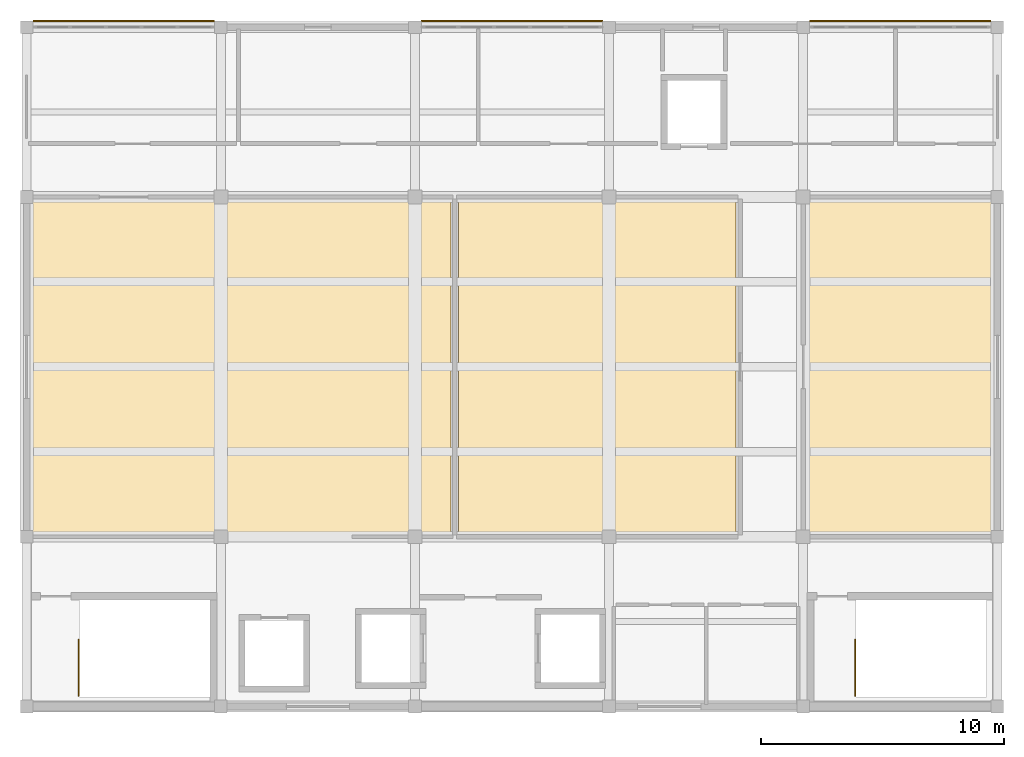
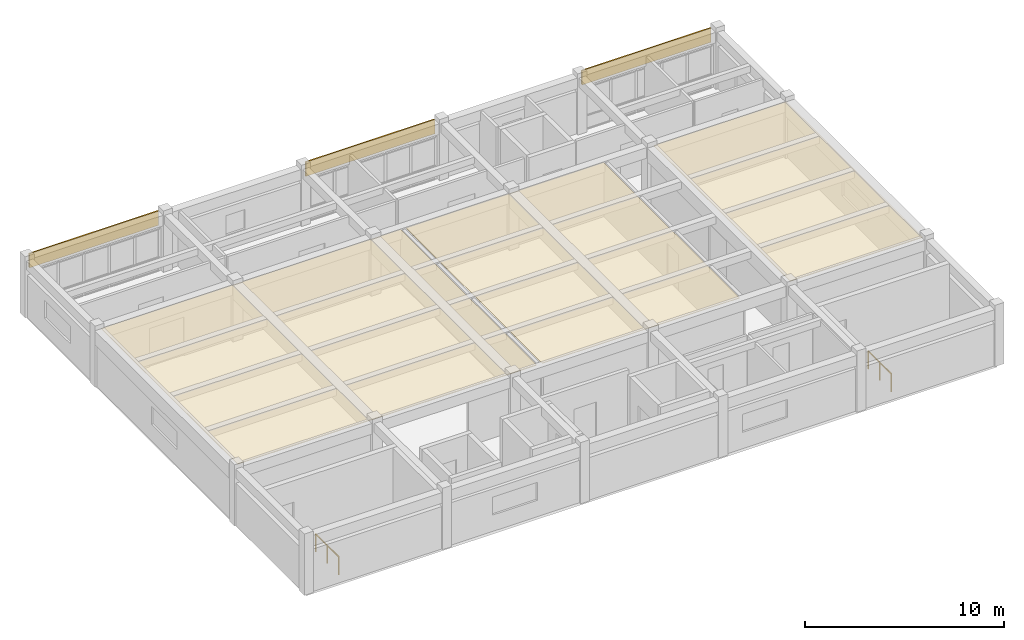
# One storey, part 7 of 7: 6 coverings, 2 railings.
"""IFC4 building model written with IfcOpenShell, lengths in metres."""

from ifc_helpers import new_model, si_unit, direction, frame, origin, origin_2d, place, context, subcontext, project, spatial, polyline, rectangle, circle, outline, extrude, material, layer, layer_set, type_object, element, save


model = new_model("IFC4")

# Units and contexts
model_context = context("Model", 3, precision=1e-05, world=origin(), true_north=direction((0.0, 1.0)))
body_context = subcontext(model_context, "Body", "Model", "MODEL_VIEW")
ifc_project = project(units=[si_unit("LENGTHUNIT", "METRE"), si_unit("AREAUNIT", "SQUARE_METRE"), si_unit("VOLUMEUNIT", "CUBIC_METRE"), si_unit("PLANEANGLEUNIT", "RADIAN"), si_unit("MASSUNIT", "GRAM", prefix="KILO")], contexts=[model_context])

# Site, building, storey
site_placement = place(None, origin())
site = spatial("IfcSite", under=ifc_project, at=site_placement, CompositionType="ELEMENT")
building_placement = place(site_placement, origin())
building = spatial("IfcBuilding", under=site, at=building_placement, Name="Naurynzar Civic Courthouse", CompositionType="ELEMENT")
storey_placement = place(building_placement, frame((0.0, 0.0, 37.050048828125)))
storey = spatial("IfcBuildingStorey", under=building, at=storey_placement, Name="L10", CompositionType="ELEMENT", Elevation=37.050048828125)

# Coverings
ifc_material_1 = material(Name="Acoustic Oak Timber Grade A", Category="wood")
ifc_layer_1 = layer(ifc_material_1, 0.044921875)
ifc_layer_set_1 = layer_set([ifc_layer_1], Name="CEIL-ACOUSTIC-OAK-45")
covering_type_1 = type_object("IfcCoveringType", Name="CEIL-ACOUSTIC-OAK-45", PredefinedType="CEILING", material=ifc_layer_set_1)
covering_1_placement = place(storey_placement, frame((0.0, 0.0, 3.364990234375)))
element("IfcCovering", 1, at=covering_1_placement, inside=storey, type_object=covering_type_1, Name="Acoustic suspended ceiling Judicial Council Plenary Hall", PredefinedType="CEILING", context=body_context, shape_type="SweptSolid", body=[
    extrude(outline(polyline([(86.47998046875, 51.159912109375), (69.159912109375, 51.159912109375), (69.159912109375, 64.840087890625), (86.47998046875, 64.840087890625), (86.47998046875, 51.159912109375)])), origin(), (0.0, 0.0, 1.0), 0.044921875),
])
covering_2_placement = place(storey_placement, frame((0.0, 0.0, 3.364990234375)))
element("IfcCovering", 2, at=covering_2_placement, inside=storey, type_object=covering_type_1, Name="Acoustic suspended ceiling Civil Chamber Courtroom L10-E", PredefinedType="CEILING", context=body_context, shape_type="SweptSolid", body=[
    extrude(outline(polyline([(108.840087890625, 51.159912109375), (101.159912109375, 51.159912109375), (101.159912109375, 64.840087890625), (108.840087890625, 64.840087890625), (108.840087890625, 51.159912109375)])), origin(), (0.0, 0.0, 1.0), 0.044921875),
])
ifc_material_2 = material(Name="Mineral Fibre Acoustic Ceiling")
ifc_layer_2 = layer(ifc_material_2, 0.030029296875)
ifc_layer_set_2 = layer_set([ifc_layer_2], Name="CEIL-MINERAL-30")
covering_type_2 = type_object("IfcCoveringType", Name="CEIL-MINERAL-30", PredefinedType="CEILING", material=ifc_layer_set_2)
covering_3_placement = place(storey_placement, frame((0.0, 0.0, 3.364990234375)))
element("IfcCovering", 3, at=covering_3_placement, inside=storey, type_object=covering_type_2, Name="Acoustic suspended ceiling Judicial Ethics Deliberation Room", PredefinedType="CEILING", context=body_context, shape_type="SweptSolid", body=[
    extrude(outline(polyline([(98.239990234375, 51.159912109375), (86.800048828125, 51.159912109375), (86.800048828125, 64.840087890625), (98.239990234375, 64.840087890625), (98.239990234375, 51.159912109375)])), origin(), (0.0, 0.0, 1.0), 0.030029296875),
])
ifc_material_3 = material(Name="Precast concrete C40/50", Category="concrete")
ifc_layer_3 = layer(ifc_material_3, 0.080078125)
ifc_layer_set_3 = layer_set([ifc_layer_3], Name="COV-CLAD-PRECAST-80")
covering_type_3 = type_object("IfcCoveringType", Name="COV-CLAD-PRECAST-80", PredefinedType="CLADDING", material=ifc_layer_set_3)
for number, where, z_axis, x_axis, name in (
    (4, (73.0, 72.2548828125, 2.599853515625), (0.0, 0.0, 1.0), (1.0, 0.0, 0.0), "V2 precast spandrel cladding 61"),
    (5, (89.0, 72.2548828125, 2.599853515625), (0.0, 0.0, 1.0), (1.0, 0.0, 0.0), "V2 precast spandrel cladding 62"),
    (6, (105.0, 72.2548828125, 2.599853515625), (0.0, 0.0, 1.0), (1.0, 0.0, 0.0), "V2 precast spandrel cladding 63"),
):
    element("IfcCovering", number, at=place(storey_placement, frame(where, z_axis=z_axis, x_axis=x_axis)), inside=storey, type_object=covering_type_3, Name=name, PredefinedType="CLADDING", context=body_context, shape_type="SweptSolid", body=[
        extrude(rectangle(XDim=7.47509765625, YDim=0.080078125, at=origin_2d()), origin(), (0.0, 0.0, 1.0), 0.8701171875),
    ])

# Railings
ifc_material_4 = material(Name="Brushed Stainless Steel 304", Category="steel")
railing_type = type_object("IfcRailingType", Name="RAIL-BAL-1100", PredefinedType="BALUSTRADE", material=ifc_material_4)
for number, where, name in (
    (7, (71.139892578125, 44.449951171875, 0.0), "Stair ST-V2A top floor well guard L10"),
    (8, (103.139892578125, 44.449951171875, 0.0), "Stair ST-V2B top floor well guard L10"),
):
    element("IfcRailing", number, at=place(storey_placement, frame(where)), inside=storey, type_object=railing_type, Name=name, PredefinedType="BALUSTRADE", context=body_context, shape_type="SweptSolid", body=[
        extrude(circle(Radius=0.02392578125, at=origin_2d()), frame((0.0, 0.0, 1.09619140625), z_axis=(0.0, 1.0, 0.0), x_axis=(-1.0, 0.0, 0.0)), (0.0, 0.0, 1.0), 2.31005859375),
        extrude(circle(Radius=0.02099609375, at=origin_2d()), origin(), (0.0, 0.0, 1.0), 1.072021484375),
        extrude(circle(Radius=0.02099609375, at=origin_2d()), frame((0.0, 1.155029296875, 0.0)), (0.0, 0.0, 1.0), 1.072021484375),
        extrude(circle(Radius=0.02099609375, at=origin_2d()), frame((0.0, 2.31005859375, 0.0)), (0.0, 0.0, 1.0), 1.072021484375),
    ])

save(model, "model.ifc")
